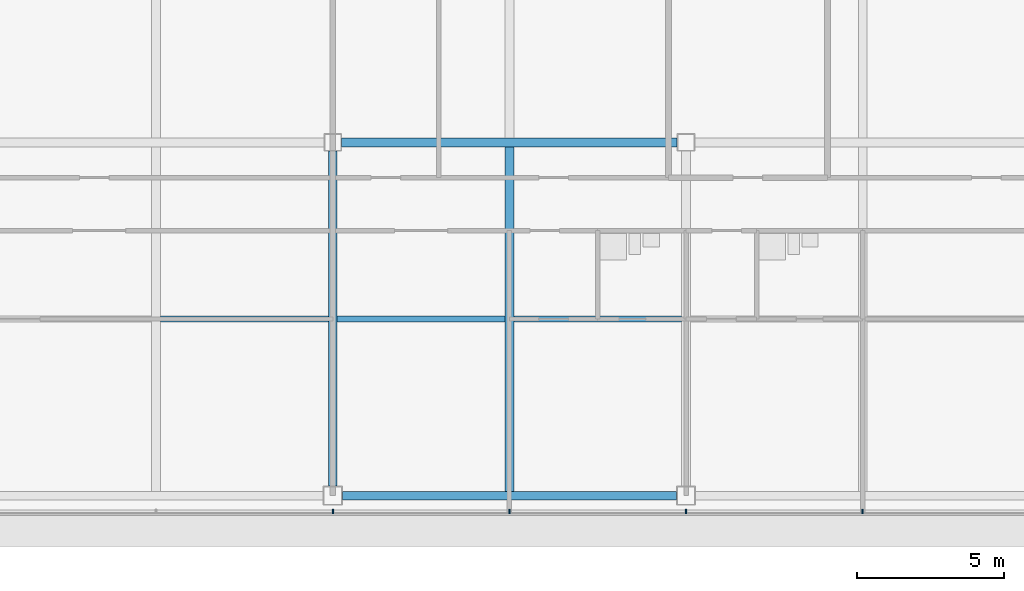
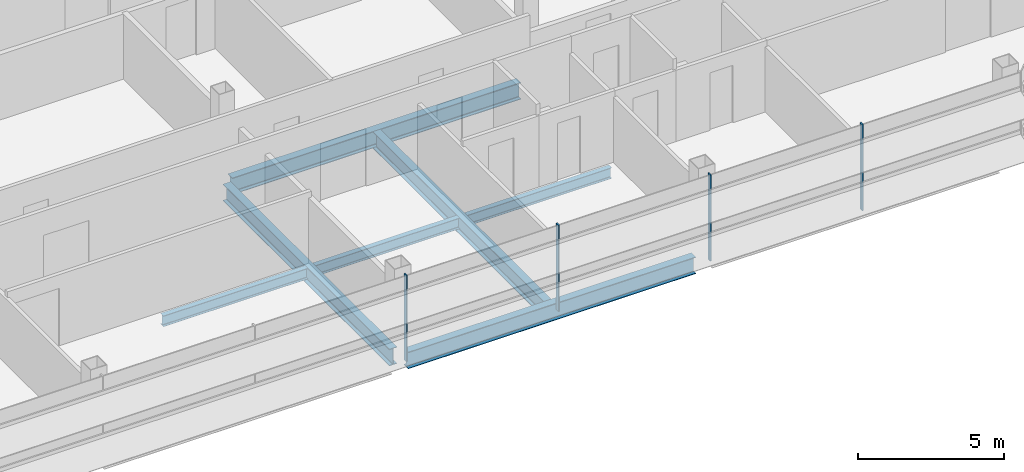
# One storey, part 8 of 27: 7 beams, 4 members, 1 element without a shape of its own.
"""IFC4 building model written with IfcOpenShell, lengths in metres."""

from ifc_helpers import new_model, si_unit, direction, frame, origin, origin_2d, place, context, subcontext, project, spatial, rectangle, i_section, extrude, material, material_profile, profile_set, type_object, element, aggregate, save


model = new_model("IFC4")

# Units and contexts
model_context = context("Model", 3, precision=1e-05, world=origin(), true_north=direction((0.0, 1.0)))
body_context = subcontext(model_context, "Body", "Model", "MODEL_VIEW")
ifc_project = project(units=[si_unit("LENGTHUNIT", "METRE"), si_unit("AREAUNIT", "SQUARE_METRE"), si_unit("VOLUMEUNIT", "CUBIC_METRE"), si_unit("PLANEANGLEUNIT", "RADIAN"), si_unit("MASSUNIT", "GRAM", prefix="KILO")], contexts=[model_context])

# Site, building, storey
site_placement = place(None, origin())
site = spatial("IfcSite", under=ifc_project, at=site_placement, CompositionType="ELEMENT")
building_placement = place(site_placement, origin())
building = spatial("IfcBuilding", under=site, at=building_placement, Name="Sorahane Residences", CompositionType="ELEMENT")
storey_placement = place(building_placement, frame((0.0, 0.0, 239.60009765625)))
storey = spatial("IfcBuildingStorey", under=building, at=storey_placement, Name="L56", CompositionType="ELEMENT", Elevation=239.60009765625)

# Curtain wall, members
ifc_material_1 = material(Name="Dark low-e glass and black anodised aluminium", Category="aluminium")
curtain_wall_type = type_object("IfcCurtainWallType", Name="Curtain wall CW-1 Typical unitised wall", PredefinedType="NOTDEFINED", material=ifc_material_1)
curtain_wall_placement = place(storey_placement, origin())
curtain_wall = element("IfcCurtainWall", 1, at=curtain_wall_placement, inside=storey, type_object=curtain_wall_type, Name="CW-1 curtain wall L56 S1", PredefinedType="NOTDEFINED")
ifc_material_2 = material(Name="Black anodised aluminium", Category="aluminium")
ifc_material_profile_1 = material_profile(ifc_material_2, rectangle(XDim=0.159912109375, YDim=0.050048828125, at=origin_2d()), Name="Curtain wall mullion CW-1 black anodised aluminium 50x160")
ifc_profile_set_1 = profile_set([ifc_material_profile_1], Name="Black anodised aluminium")
member_type = type_object("IfcMemberType", Name="Curtain wall mullion CW-1 black anodised aluminium 50x160", PredefinedType="MULLION", material=ifc_profile_set_1)
member_1_placement = place(storey_placement, frame((24.0, -0.5400390625, -0.18017578125), z_axis=(0.0, 0.0, 1.0), x_axis=(0.0, -1.0, 0.0)))
member_1 = element("IfcMember", 2, at=member_1_placement, type_object=member_type, Name="CW-1 mullion L56 S1.6", PredefinedType="MULLION", context=body_context, shape_type="SweptSolid", body=[
    extrude(rectangle(XDim=0.159912109375, YDim=0.050048828125, at=origin_2d()), origin(), (0.0, 0.0, 1.0), 3.60009765625),
])
member_2_placement = place(storey_placement, frame((30.0, -0.5400390625, -0.18017578125), z_axis=(0.0, 0.0, 1.0), x_axis=(0.0, -1.0, 0.0)))
member_2 = element("IfcMember", 3, at=member_2_placement, type_object=member_type, Name="CW-1 mullion L56 S1.7", PredefinedType="MULLION", context=body_context, shape_type="SweptSolid", body=[
    extrude(rectangle(XDim=0.159912109375, YDim=0.050048828125, at=origin_2d()), origin(), (0.0, 0.0, 1.0), 3.60009765625),
])
member_3_placement = place(storey_placement, frame((36.0, -0.5400390625, -0.18017578125), z_axis=(0.0, 0.0, 1.0), x_axis=(0.0, -1.0, 0.0)))
member_3 = element("IfcMember", 4, at=member_3_placement, type_object=member_type, Name="CW-1 mullion L56 S1.8", PredefinedType="MULLION", context=body_context, shape_type="SweptSolid", body=[
    extrude(rectangle(XDim=0.159912109375, YDim=0.050048828125, at=origin_2d()), origin(), (0.0, 0.0, 1.0), 3.60009765625),
])
member_4_placement = place(storey_placement, frame((42.0, -0.5400390625, -0.18017578125), z_axis=(0.0, 0.0, 1.0), x_axis=(0.0, -1.0, 0.0)))
member_4 = element("IfcMember", 5, at=member_4_placement, type_object=member_type, Name="CW-1 mullion L56 S1.9", PredefinedType="MULLION", context=body_context, shape_type="SweptSolid", body=[
    extrude(rectangle(XDim=0.159912109375, YDim=0.050048828125, at=origin_2d()), origin(), (0.0, 0.0, 1.0), 3.60009765625),
])
aggregate(curtain_wall, [member_1, member_2, member_3, member_4])

# Beams
ifc_material_3 = material(Name="Steel Q355B", Category="steel")
ifc_material_profile_2 = material_profile(ifc_material_3, i_section(OverallWidth=0.199951171875, OverallDepth=0.449951171875, WebThickness=0.009033203125, FlangeThickness=0.013916015625, FilletRadius=0.02001953125, at=origin_2d()), Name="HN 450x200x9x14")
ifc_profile_set_2 = profile_set([ifc_material_profile_2], Name="Steel Q355B")
beam_type_1 = type_object("IfcBeamType", Name="Steel floor beam HN 450x200x9x14 Q355B", PredefinedType="BEAM", material=ifc_profile_set_2)
for number, where, z_axis, x_axis, name in (
    (6, (18.14990234375, 6.0, -0.405029296875), (1.0, 0.0, 0.0), (0.0, 1.0, 0.0), "Beam L56 072"),
    (7, (24.14990234375, 6.0, -0.405029296875), (1.0, 0.0, 0.0), (0.0, 1.0, 0.0), "Beam L56 073"),
    (8, (30.14990234375, 6.0, -0.405029296875), (1.0, 0.0, 0.0), (0.0, 1.0, 0.0), "Beam L56 074"),
):
    element("IfcBeam", number, at=place(storey_placement, frame(where, z_axis=z_axis, x_axis=x_axis)), inside=storey, type_object=beam_type_1, Name=name, PredefinedType="BEAM", context=body_context, shape_type="SweptSolid", body=[
        extrude(i_section(OverallWidth=0.199951171875, OverallDepth=0.449951171875, WebThickness=0.009033203125, FlangeThickness=0.013916015625, FilletRadius=0.02001953125, at=origin_2d()), origin(), (0.0, 0.0, 1.0), 5.7001953125),
    ])
ifc_material_4 = material(Name="Steel Q355B", Category="steel")
ifc_material_profile_3 = material_profile(ifc_material_4, i_section(OverallWidth=0.300048828125, OverallDepth=0.699951171875, WebThickness=0.012939453125, FlangeThickness=0.02392578125, FilletRadius=0.028076171875, at=origin_2d()), Name="HN 700x300x13x24")
ifc_profile_set_3 = profile_set([ifc_material_profile_3], Name="Steel Q355B")
beam_type_2 = type_object("IfcBeamType", Name="Steel floor beam HN 700x300x13x24 Q355B", PredefinedType="BEAM", material=ifc_profile_set_3)
beam_1_placement = place(storey_placement, frame((24.324951171875, 0.0, -0.530029296875), z_axis=(1.0, 0.0, 0.0), x_axis=(0.0, 1.0, 0.0)))
element("IfcBeam", 9, at=beam_1_placement, inside=storey, type_object=beam_type_2, Name="Beam L56 003", PredefinedType="BEAM", context=body_context, shape_type="SweptSolid", body=[
    extrude(i_section(OverallWidth=0.300048828125, OverallDepth=0.699951171875, WebThickness=0.012939453125, FlangeThickness=0.02392578125, FilletRadius=0.028076171875, at=origin_2d()), origin(), (0.0, 0.0, 1.0), 11.35009765625),
])
beam_2_placement = place(storey_placement, frame((24.300048828125, 12.0, -0.530029296875), z_axis=(1.0, 0.0, 0.0), x_axis=(0.0, 1.0, 0.0)))
element("IfcBeam", 10, at=beam_2_placement, inside=storey, type_object=beam_type_2, Name="Beam L56 008", PredefinedType="BEAM", context=body_context, shape_type="SweptSolid", body=[
    extrude(i_section(OverallWidth=0.300048828125, OverallDepth=0.699951171875, WebThickness=0.012939453125, FlangeThickness=0.02392578125, FilletRadius=0.028076171875, at=origin_2d()), origin(), (0.0, 0.0, 1.0), 11.39990234375),
])
beam_3_placement = place(storey_placement, frame((24.0, 0.324951171875, -0.530029296875), z_axis=(0.0, 1.0, 0.0), x_axis=(-1.0, 0.0, 0.0)))
element("IfcBeam", 11, at=beam_3_placement, inside=storey, type_object=beam_type_2, Name="Beam L56 042", PredefinedType="BEAM", context=body_context, shape_type="SweptSolid", body=[
    extrude(i_section(OverallWidth=0.300048828125, OverallDepth=0.699951171875, WebThickness=0.012939453125, FlangeThickness=0.02392578125, FilletRadius=0.028076171875, at=origin_2d()), origin(), (0.0, 0.0, 1.0), 11.375),
])
beam_4_placement = place(storey_placement, frame((30.0, 0.14990234375, -0.530029296875), z_axis=(0.0, 1.0, 0.0), x_axis=(-1.0, 0.0, 0.0)))
element("IfcBeam", 12, at=beam_4_placement, inside=storey, type_object=beam_type_2, Name="Beam L56 044", PredefinedType="BEAM", context=body_context, shape_type="SweptSolid", body=[
    extrude(i_section(OverallWidth=0.300048828125, OverallDepth=0.699951171875, WebThickness=0.012939453125, FlangeThickness=0.02392578125, FilletRadius=0.028076171875, at=origin_2d()), origin(), (0.0, 0.0, 1.0), 11.7001953125),
])

save(model, "model.ifc")
